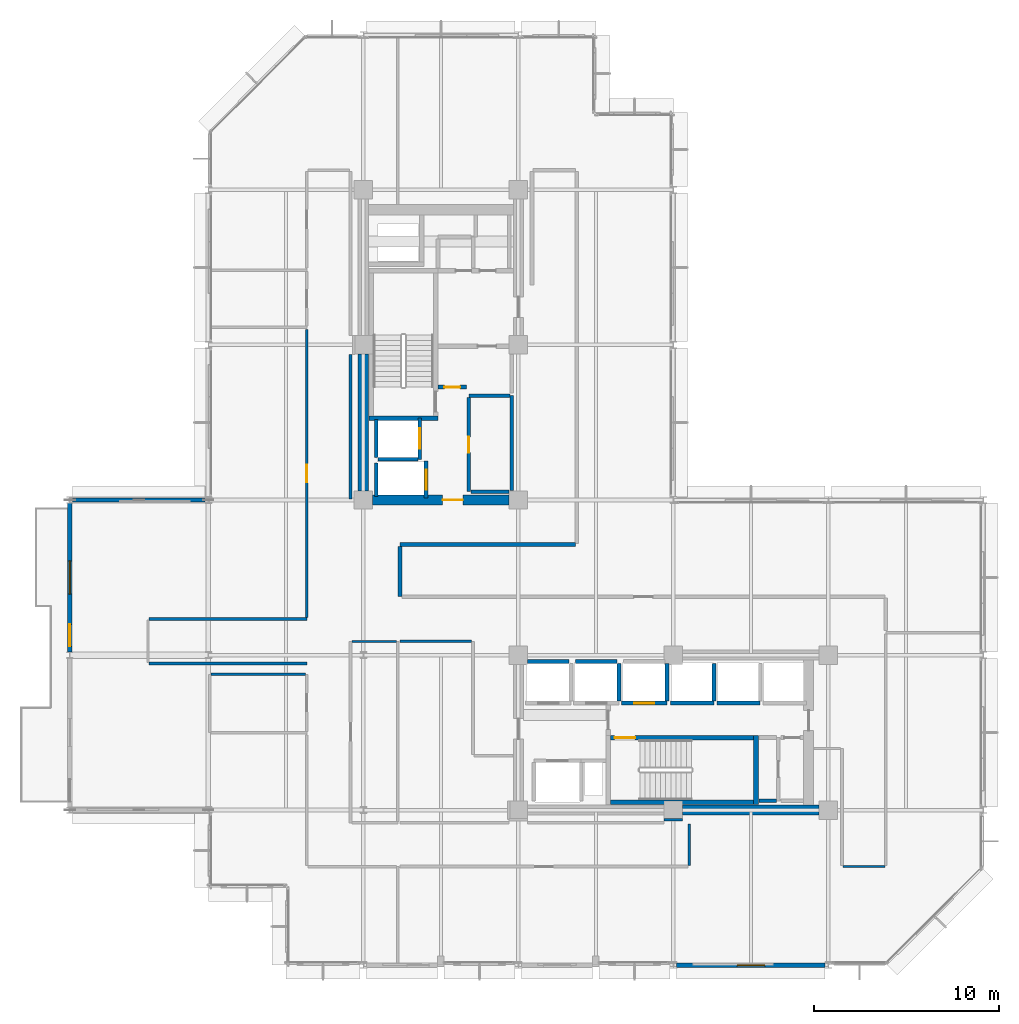
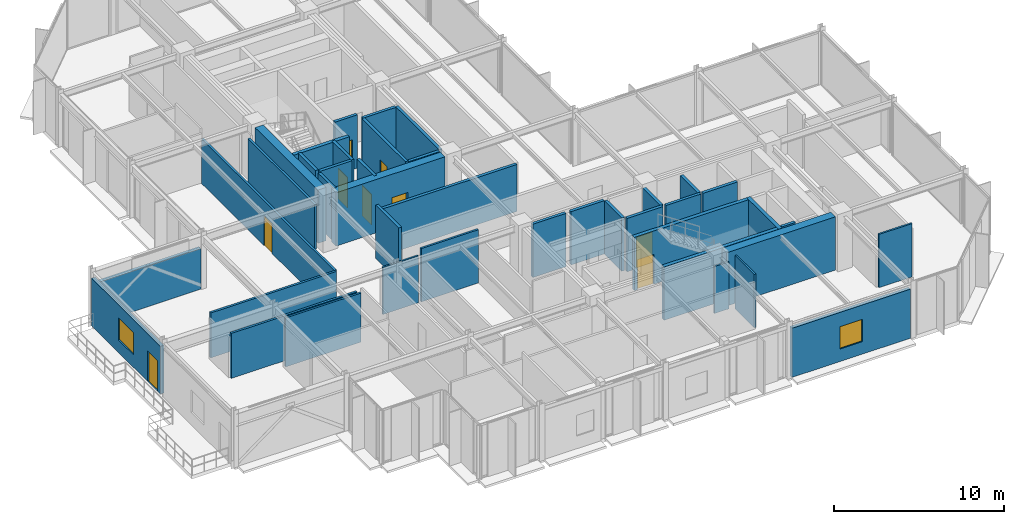
# One storey, part 25 of 30: 41 walls, 9 doors, 2 windows, 11 openings.
"""IFC4 building model written with IfcOpenShell, lengths in metres."""

from ifc_helpers import new_model, si_unit, direction, frame, frame_2d, origin, place, context, subcontext, project, spatial, rectangle, extrude, material, layer, layer_set, type_object, element, fill, save


model = new_model("IFC4")

# Units and contexts
model_context = context("Model", 3, precision=1e-05, world=origin(), true_north=direction((0.0, 1.0)))
body_context = subcontext(model_context, "Body", "Model", "MODEL_VIEW")
ifc_project = project(units=[si_unit("LENGTHUNIT", "METRE"), si_unit("AREAUNIT", "SQUARE_METRE"), si_unit("VOLUMEUNIT", "CUBIC_METRE"), si_unit("PLANEANGLEUNIT", "RADIAN"), si_unit("MASSUNIT", "GRAM", prefix="KILO")], contexts=[model_context])

# Site, building, storey
site_placement = place(None, origin())
site = spatial("IfcSite", under=ifc_project, at=site_placement, CompositionType="ELEMENT")
building_placement = place(site_placement, origin())
building = spatial("IfcBuilding", under=site, at=building_placement, Name="Nerrivon Quay Data Exchange", CompositionType="ELEMENT")
storey_placement = place(building_placement, frame((0.0, 0.0, 171.39990234375)))
storey = spatial("IfcBuildingStorey", under=building, at=storey_placement, Name="L40", CompositionType="ELEMENT", Elevation=171.39990234375)

# Wall, openings, door, window
ifc_material_1 = material(Name="Architectural terracotta precast concrete N50 (50 MPa)", Category="masonry")
ifc_layer_1 = layer(ifc_material_1, 0.239990234375)
ifc_layer_set_1 = layer_set([ifc_layer_1], Name="Architectural terracotta precast concrete N50 (50 MPa)")
wall_type_1 = type_object("IfcWallType", Name="EW-PREC-240", PredefinedType="STANDARD", material=ifc_layer_set_1)
wall_1_placement = place(storey_placement, frame((-7.5, 16.96337890625, 0.0), z_axis=(0.0, 0.0, 1.0), x_axis=(0.0, 1.0, 0.0)))
wall_1 = element("IfcWall", 1, at=wall_1_placement, inside=storey, type_object=wall_type_1, Name="L40 Terrace Host Wall 2", PredefinedType="STANDARD", context=body_context, shape_type="SweptSolid", body=[
    extrude(rectangle(XDim=8.0732421875, YDim=0.239990234375, at=frame_2d((4.03662109375, 0.0))), origin(), (0.0, 0.0, 1.0), 3.422119140625),
])
opening_1_placement = place(wall_1_placement, frame((0.300048828125, 0.0, 0.0)))
opening_1 = element("IfcOpeningElement", 2, at=opening_1_placement, cuts=wall_1, Name="Opening TD1", PredefinedType="OPENING", context=body_context, shape_type="SweptSolid", body=[
    extrude(rectangle(XDim=1.199951171875, YDim=2.199951171875, at=frame_2d((0.60009765625, 1.10009765625))), frame((0.0, 0.1298828125, 0.0), z_axis=(0.0, -1.0, 0.0), x_axis=(1.0, 0.0, 0.0)), (0.0, 0.0, 1.0), 0.260009765625),
])
opening_2_placement = place(wall_1_placement, frame((3.136474609375, 0.0, 0.89990234375)))
opening_2 = element("IfcOpeningElement", 3, at=opening_2_placement, cuts=wall_1, Name="Opening WN2", PredefinedType="OPENING", context=body_context, shape_type="SweptSolid", body=[
    extrude(rectangle(XDim=1.800048828125, YDim=1.60009765625, at=frame_2d((0.89990234375, 0.800048828125))), frame((0.0, 0.1298828125, 0.0), z_axis=(0.0, -1.0, 0.0), x_axis=(1.0, 0.0, 0.0)), (0.0, 0.0, 1.0), 0.260009765625),
])
ifc_material_2 = material(Name="Double-glazed low-E solar control glass", Category="glass")
door_type_1 = type_object("IfcDoorType", Name="DR-TERR-1200x2200", OperationType="NOTDEFINED", PredefinedType="DOOR", material=ifc_material_2)
door_1_placement = place(opening_1_placement, origin())
door_1 = element("IfcDoor", 4, at=door_1_placement, inside=storey, type_object=door_type_1, Name="L40 Outdoor Terrace Access Door 2", OperationType="SINGLE_SWING_LEFT", OverallHeight=2.199951171875, OverallWidth=1.199951171875, PredefinedType="DOOR", context=body_context, shape_type="SweptSolid", body=[
    extrude(rectangle(XDim=1.199951171875, YDim=2.199951171875, at=frame_2d((0.60009765625, 1.10009765625))), frame((0.0, 0.02490234375, 0.0), z_axis=(0.0, -1.0, 0.0), x_axis=(1.0, 0.0, 0.0)), (0.0, 0.0, 1.0), 0.050048828125),
])
fill(opening_1, door_1)
window_type_1 = type_object("IfcWindowType", Name="WIN-W2-1800x1600", PartitioningType="SINGLE_PANEL", PredefinedType="WINDOW", material=ifc_material_2)
window_1_placement = place(opening_2_placement, origin())
window_1 = element("IfcWindow", 5, at=window_1_placement, inside=storey, type_object=window_type_1, Name="L40 Terrace Side Window 2", OverallHeight=1.60009765625, OverallWidth=1.800048828125, PartitioningType="SINGLE_PANEL", PredefinedType="WINDOW", context=body_context, shape_type="SweptSolid", body=[
    extrude(rectangle(XDim=1.800048828125, YDim=1.60009765625, at=frame_2d((0.89990234375, 0.800048828125))), frame((0.0, 0.030029296875, 0.0), z_axis=(0.0, -1.0, 0.0), x_axis=(1.0, 0.0, 0.0)), (0.0, 0.0, 1.0), 0.06005859375),
])
fill(opening_2, window_1)

# Wall
wall_2_placement = place(storey_placement, frame((-7.344482421875, 25.199951171875, 0.0), z_axis=(0.0, 0.0, 1.0), x_axis=(1.0, 0.0, 0.0)))
element("IfcWall", 6, at=wall_2_placement, inside=storey, type_object=wall_type_1, Name="L40 Plant Enclosure Wall 3", PredefinedType="STANDARD", context=body_context, shape_type="SweptSolid", body=[
    extrude(rectangle(XDim=7.16943359375, YDim=0.239990234375, at=frame_2d((3.584716796875, 0.0))), origin(), (0.0, 0.0, 1.0), 2.9150390625),
])

# Wall, opening, window
wall_3_placement = place(storey_placement, frame((33.425048828125, 0.0, 0.0), z_axis=(0.0, 0.0, 1.0), x_axis=(-1.0, 0.0, 0.0)))
wall_3 = element("IfcWall", 7, at=wall_3_placement, inside=storey, type_object=wall_type_1, Name="L40 Podium Precast Spandrel Wall 23", PredefinedType="STANDARD", context=body_context, shape_type="SweptSolid", body=[
    extrude(rectangle(XDim=8.050048828125, YDim=0.239990234375, at=frame_2d((4.02490234375, 0.0))), origin(), (0.0, 0.0, 1.0), 3.525146484375),
])
opening_3_placement = place(wall_3_placement, frame((3.27490234375, 0.0, 0.89990234375)))
opening_3 = element("IfcOpeningElement", 8, at=opening_3_placement, cuts=wall_3, Name="Opening WN4", PredefinedType="OPENING", context=body_context, shape_type="SweptSolid", body=[
    extrude(rectangle(XDim=1.5, YDim=1.60009765625, at=frame_2d((0.75, 0.800048828125))), frame((0.0, 0.1298828125, 0.0), z_axis=(0.0, -1.0, 0.0), x_axis=(1.0, 0.0, 0.0)), (0.0, 0.0, 1.0), 0.260009765625),
])
window_type_2 = type_object("IfcWindowType", Name="WIN-W4-1500x1600", PartitioningType="SINGLE_PANEL", PredefinedType="WINDOW", material=ifc_material_2)
window_2_placement = place(opening_3_placement, origin())
window_2 = element("IfcWindow", 9, at=window_2_placement, inside=storey, type_object=window_type_2, Name="L40 Solar Facade Window 23", OverallHeight=1.60009765625, OverallWidth=1.5, PartitioningType="SINGLE_PANEL", PredefinedType="WINDOW", context=body_context, shape_type="SweptSolid", body=[
    extrude(rectangle(XDim=1.5, YDim=1.60009765625, at=frame_2d((0.75, 0.800048828125))), frame((0.0, 0.030029296875, 0.0), z_axis=(0.0, -1.0, 0.0), x_axis=(1.0, 0.0, 0.0)), (0.0, 0.0, 1.0), 0.06005859375),
])
fill(opening_3, window_2)

# Wall
ifc_material_3 = material(Name="Concrete S65 (65 MPa)", Category="concrete")
ifc_layer_2 = layer(ifc_material_3, 0.550048828125)
ifc_layer_set_2 = layer_set([ifc_layer_2], Name="Concrete S65 (65 MPa)")
wall_type_2 = type_object("IfcWallType", Name="WALL-CW-700", PredefinedType="SHEAR", material=ifc_layer_set_2)
wall_4_placement = place(storey_placement, frame((8.39990234375, 25.699951171875, 0.0), z_axis=(0.0, 0.0, 1.0), x_axis=(0.0, 1.0, 0.0)))
element("IfcWall", 10, at=wall_4_placement, inside=storey, type_object=wall_type_2, Name="L40 West Split-Core Shear Wall WCW-W1", PredefinedType="SHEAR", context=body_context, shape_type="SweptSolid", body=[
    extrude(rectangle(XDim=7.400146484375, YDim=0.550048828125, at=frame_2d((3.7001953125, 0.0))), origin(), (0.0, 0.0, 1.0), 3.8251953125),
])

# Wall, opening, door
wall_5_placement = place(storey_placement, frame((8.89990234375, 25.199951171875, 0.0), z_axis=(0.0, 0.0, 1.0), x_axis=(1.0, 0.0, 0.0)))
wall_5 = element("IfcWall", 11, at=wall_5_placement, inside=storey, type_object=wall_type_2, Name="L40 West Split-Core Shear Wall WCW-S1", PredefinedType="SHEAR", context=body_context, shape_type="SweptSolid", body=[
    extrude(rectangle(XDim=7.400146484375, YDim=0.550048828125, at=frame_2d((3.7001953125, 0.0))), origin(), (0.0, 0.0, 1.0), 3.8251953125),
])
opening_4_placement = place(wall_5_placement, frame((3.800048828125, 0.0, 0.0)))
opening_4 = element("IfcOpeningElement", 12, at=opening_4_placement, cuts=wall_5, Name="Opening FD-120", PredefinedType="OPENING", context=body_context, shape_type="SweptSolid", body=[
    extrude(rectangle(XDim=1.10009765625, YDim=2.14990234375, at=frame_2d((0.550048828125, 1.074951171875))), frame((0.0, 0.284912109375, 0.0), z_axis=(0.0, -1.0, 0.0), x_axis=(1.0, 0.0, 0.0)), (0.0, 0.0, 1.0), 0.570068359375),
])
ifc_material_4 = material(Name="Powder-coated galvanized steel sheet", Category="steel")
door_type_2 = type_object("IfcDoorType", Name="DR-FD120-1100", OperationType="NOTDEFINED", PredefinedType="DOOR", material=ifc_material_4)
door_2_placement = place(opening_4_placement, origin())
door_2 = element("IfcDoor", 13, at=door_2_placement, inside=storey, type_object=door_type_2, Name="L40 West Core Lobby Fire Door", OperationType="SINGLE_SWING_LEFT", OverallHeight=2.14990234375, OverallWidth=1.10009765625, PredefinedType="DOOR", context=body_context, shape_type="SweptSolid", body=[
    extrude(rectangle(XDim=1.10009765625, YDim=2.14990234375, at=frame_2d((0.550048828125, 1.074951171875))), frame((0.0, 0.02490234375, 0.0), z_axis=(0.0, -1.0, 0.0), x_axis=(1.0, 0.0, 0.0)), (0.0, 0.0, 1.0), 0.050048828125),
])
fill(opening_4, door_2)

# Wall
wall_6_placement = place(storey_placement, frame((25.699951171875, 8.39990234375, 0.0), z_axis=(0.0, 0.0, 1.0), x_axis=(1.0, 0.0, 0.0)))
element("IfcWall", 14, at=wall_6_placement, inside=storey, type_object=wall_type_2, Name="L40 East Split-Core Shear Wall ECW-S2", PredefinedType="SHEAR", context=body_context, shape_type="SweptSolid", body=[
    extrude(rectangle(XDim=7.400146484375, YDim=0.550048828125, at=frame_2d((3.7001953125, 0.0))), origin(), (0.0, 0.0, 1.0), 3.8251953125),
])

# Wall, opening, door
ifc_material_5 = material(Name="Gypsum plasterboard on cold-formed framing", Category="gypsum")
ifc_layer_3 = layer(ifc_material_5, 0.199951171875)
ifc_layer_set_3 = layer_set([ifc_layer_3], Name="Gypsum plasterboard on cold-formed framing")
wall_type_3 = type_object("IfcWallType", Name="WALL-FW-200", PredefinedType="PARTITIONING", material=ifc_layer_set_3)
wall_7_placement = place(storey_placement, frame((11.449951171875, 27.39990234375, 0.0), z_axis=(0.0, 0.0, 1.0), x_axis=(0.0, 1.0, 0.0)))
wall_7 = element("IfcWall", 15, at=wall_7_placement, inside=storey, type_object=wall_type_3, Name="L40 Lift Front Wall FFL-1", PredefinedType="PARTITIONING", context=body_context, shape_type="SweptSolid", body=[
    extrude(rectangle(XDim=2.25, YDim=0.199951171875, at=frame_2d((1.125, 0.0))), origin(), (0.0, 0.0, 1.0), 3.8251953125),
])
opening_5_placement = place(wall_7_placement, frame((0.574951171875, 0.0, 0.0)))
opening_5 = element("IfcOpeningElement", 16, at=opening_5_placement, cuts=wall_7, Name="Opening LD-120", PredefinedType="OPENING", context=body_context, shape_type="SweptSolid", body=[
    extrude(rectangle(XDim=1.10009765625, YDim=2.199951171875, at=frame_2d((0.550048828125, 1.10009765625))), frame((0.0, 0.10986328125, 0.0), z_axis=(0.0, -1.0, 0.0), x_axis=(1.0, 0.0, 0.0)), (0.0, 0.0, 1.0), 0.219970703125),
])
door_type_3 = type_object("IfcDoorType", Name="DR-LIFT-LD120", OperationType="DOUBLE_DOOR_SLIDING", PredefinedType="DOOR", material=ifc_material_4)
door_3_placement = place(opening_5_placement, origin())
door_3 = element("IfcDoor", 17, at=door_3_placement, inside=storey, type_object=door_type_3, Name="L40 Lift Landing Sliding Door FFL-1", OperationType="DOUBLE_DOOR_SLIDING", OverallHeight=2.199951171875, OverallWidth=1.10009765625, PredefinedType="DOOR", context=body_context, shape_type="SweptSolid", body=[
    extrude(rectangle(XDim=1.10009765625, YDim=2.199951171875, at=frame_2d((0.550048828125, 1.10009765625))), frame((0.0, 0.02490234375, 0.0), z_axis=(0.0, -1.0, 0.0), x_axis=(1.0, 0.0, 0.0)), (0.0, 0.0, 1.0), 0.050048828125),
])
fill(opening_5, door_3)

# Walls
wall_8_placement = place(storey_placement, frame((9.10009765625, 27.5, 0.0), z_axis=(0.0, 0.0, 1.0), x_axis=(0.0, 1.0, 0.0)))
element("IfcWall", 18, at=wall_8_placement, inside=storey, type_object=wall_type_3, Name="L40 Lift Shaft Wall FFL-1 WEST", PredefinedType="PARTITIONING", context=body_context, shape_type="SweptSolid", body=[
    extrude(rectangle(XDim=2.050048828125, YDim=0.199951171875, at=frame_2d((1.02490234375, 0.0))), origin(), (0.0, 0.0, 1.0), 3.8251953125),
])
wall_9_placement = place(storey_placement, frame((9.199951171875, 27.39990234375, 0.0), z_axis=(0.0, 0.0, 1.0), x_axis=(1.0, 0.0, 0.0)))
element("IfcWall", 19, at=wall_9_placement, inside=storey, type_object=wall_type_3, Name="L40 Lift Shaft Wall FFL-1 SOUTH", PredefinedType="PARTITIONING", context=body_context, shape_type="SweptSolid", body=[
    extrude(rectangle(XDim=2.150146484375, YDim=0.199951171875, at=frame_2d((1.0751953125, 0.0))), origin(), (0.0, 0.0, 1.0), 3.8251953125),
])

# Wall, opening, door
wall_10_placement = place(storey_placement, frame((11.800048828125, 25.300048828125, 0.0), z_axis=(0.0, 0.0, 1.0), x_axis=(0.0, 1.0, 0.0)))
wall_10 = element("IfcWall", 20, at=wall_10_placement, inside=storey, type_object=wall_type_3, Name="L40 Lift Front Wall SVL-1", PredefinedType="PARTITIONING", context=body_context, shape_type="SweptSolid", body=[
    extrude(rectangle(XDim=2.0, YDim=0.199951171875, at=frame_2d((1.0, 0.0))), origin(), (0.0, 0.0, 1.0), 3.8251953125),
])
opening_6_placement = place(wall_10_placement, frame((0.449951171875, 0.0, 0.0)))
opening_6 = element("IfcOpeningElement", 21, at=opening_6_placement, cuts=wall_10, Name="Opening LD-120", PredefinedType="OPENING", context=body_context, shape_type="SweptSolid", body=[
    extrude(rectangle(XDim=1.10009765625, YDim=2.199951171875, at=frame_2d((0.550048828125, 1.10009765625))), frame((0.0, 0.10986328125, 0.0), z_axis=(0.0, -1.0, 0.0), x_axis=(1.0, 0.0, 0.0)), (0.0, 0.0, 1.0), 0.219970703125),
])
door_4_placement = place(opening_6_placement, origin())
door_4 = element("IfcDoor", 22, at=door_4_placement, inside=storey, type_object=door_type_3, Name="L40 Lift Landing Sliding Door SVL-1", OperationType="DOUBLE_DOOR_SLIDING", OverallHeight=2.199951171875, OverallWidth=1.10009765625, PredefinedType="DOOR", context=body_context, shape_type="SweptSolid", body=[
    extrude(rectangle(XDim=1.10009765625, YDim=2.199951171875, at=frame_2d((0.550048828125, 1.10009765625))), frame((0.0, 0.02490234375, 0.0), z_axis=(0.0, -1.0, 0.0), x_axis=(1.0, 0.0, 0.0)), (0.0, 0.0, 1.0), 0.050048828125),
])
fill(opening_6, door_4)

# Walls
wall_11_placement = place(storey_placement, frame((9.10009765625, 25.39990234375, 0.0), z_axis=(0.0, 0.0, 1.0), x_axis=(0.0, 1.0, 0.0)))
element("IfcWall", 23, at=wall_11_placement, inside=storey, type_object=wall_type_3, Name="L40 Lift Shaft Wall SVL-1 WEST", PredefinedType="PARTITIONING", context=body_context, shape_type="SweptSolid", body=[
    extrude(rectangle(XDim=1.800048828125, YDim=0.199951171875, at=frame_2d((0.89990234375, 0.0))), origin(), (0.0, 0.0, 1.0), 3.8251953125),
])
wall_12_placement = place(storey_placement, frame((17.300048828125, 16.449951171875, 0.0), z_axis=(0.0, 0.0, 1.0), x_axis=(1.0, 0.0, 0.0)))
element("IfcWall", 24, at=wall_12_placement, inside=storey, type_object=wall_type_3, Name="L40 Lift Shaft Wall PL4 NORTH", PredefinedType="PARTITIONING", context=body_context, shape_type="SweptSolid", body=[
    extrude(rectangle(XDim=2.25, YDim=0.199951171875, at=frame_2d((1.125, 0.0))), origin(), (0.0, 0.0, 1.0), 3.8251953125),
])
wall_13_placement = place(storey_placement, frame((22.25, 14.300048828125, 0.0), z_axis=(0.0, 0.0, 1.0), x_axis=(0.0, 1.0, 0.0)))
element("IfcWall", 25, at=wall_13_placement, inside=storey, type_object=wall_type_3, Name="L40 Lift Shaft Wall PL5 EAST", PredefinedType="PARTITIONING", context=body_context, shape_type="SweptSolid", body=[
    extrude(rectangle(XDim=2.050048828125, YDim=0.199951171875, at=frame_2d((1.02490234375, 0.0))), origin(), (0.0, 0.0, 1.0), 3.8251953125),
])
wall_14_placement = place(storey_placement, frame((19.89990234375, 16.449951171875, 0.0), z_axis=(0.0, 0.0, 1.0), x_axis=(1.0, 0.0, 0.0)))
element("IfcWall", 26, at=wall_14_placement, inside=storey, type_object=wall_type_3, Name="L40 Lift Shaft Wall PL5 NORTH", PredefinedType="PARTITIONING", context=body_context, shape_type="SweptSolid", body=[
    extrude(rectangle(XDim=2.25, YDim=0.199951171875, at=frame_2d((1.125, 0.0))), origin(), (0.0, 0.0, 1.0), 3.8251953125),
])

# Wall, opening, door
wall_15_placement = place(storey_placement, frame((22.39990234375, 14.199951171875, 0.0), z_axis=(0.0, 0.0, 1.0), x_axis=(1.0, 0.0, 0.0)))
wall_15 = element("IfcWall", 27, at=wall_15_placement, inside=storey, type_object=wall_type_3, Name="L40 Lift Front Wall PL6", PredefinedType="PARTITIONING", context=body_context, shape_type="SweptSolid", body=[
    extrude(rectangle(XDim=2.4501953125, YDim=0.199951171875, at=frame_2d((1.22509765625, 0.0))), origin(), (0.0, 0.0, 1.0), 3.8251953125),
])
opening_7_placement = place(wall_15_placement, frame((0.675048828125, 0.0, 0.0)))
opening_7 = element("IfcOpeningElement", 28, at=opening_7_placement, cuts=wall_15, Name="Opening LD-120", PredefinedType="OPENING", context=body_context, shape_type="SweptSolid", body=[
    extrude(rectangle(XDim=1.10009765625, YDim=2.199951171875, at=frame_2d((0.550048828125, 1.10009765625))), frame((0.0, 0.10986328125, 0.0), z_axis=(0.0, -1.0, 0.0), x_axis=(1.0, 0.0, 0.0)), (0.0, 0.0, 1.0), 0.219970703125),
])
door_5_placement = place(opening_7_placement, origin())
door_5 = element("IfcDoor", 29, at=door_5_placement, inside=storey, type_object=door_type_3, Name="L40 Lift Landing Sliding Door PL6", OperationType="DOUBLE_DOOR_SLIDING", OverallHeight=2.199951171875, OverallWidth=1.10009765625, PredefinedType="DOOR", context=body_context, shape_type="SweptSolid", body=[
    extrude(rectangle(XDim=1.10009765625, YDim=2.199951171875, at=frame_2d((0.550048828125, 1.10009765625))), frame((0.0, 0.02490234375, 0.0), z_axis=(0.0, -1.0, 0.0), x_axis=(1.0, 0.0, 0.0)), (0.0, 0.0, 1.0), 0.050048828125),
])
fill(opening_7, door_5)

# Walls
wall_16_placement = place(storey_placement, frame((24.85009765625, 14.300048828125, 0.0), z_axis=(0.0, 0.0, 1.0), x_axis=(0.0, 1.0, 0.0)))
element("IfcWall", 30, at=wall_16_placement, inside=storey, type_object=wall_type_3, Name="L40 Lift Shaft Wall PL6 EAST", PredefinedType="PARTITIONING", context=body_context, shape_type="SweptSolid", body=[
    extrude(rectangle(XDim=2.050048828125, YDim=0.199951171875, at=frame_2d((1.02490234375, 0.0))), origin(), (0.0, 0.0, 1.0), 3.8251953125),
])
wall_17_placement = place(storey_placement, frame((25.050048828125, 14.199951171875, 0.0), z_axis=(0.0, 0.0, 1.0), x_axis=(1.0, 0.0, 0.0)))
element("IfcWall", 31, at=wall_17_placement, inside=storey, type_object=wall_type_3, Name="L40 Lift Front Wall PL7", PredefinedType="PARTITIONING", context=body_context, shape_type="SweptSolid", body=[
    extrude(rectangle(XDim=2.349853515625, YDim=0.199951171875, at=frame_2d((1.1748046875, 0.0))), origin(), (0.0, 0.0, 1.0), 3.8251953125),
])
wall_18_placement = place(storey_placement, frame((27.39990234375, 14.300048828125, 0.0), z_axis=(0.0, 0.0, 1.0), x_axis=(0.0, 1.0, 0.0)))
element("IfcWall", 32, at=wall_18_placement, inside=storey, type_object=wall_type_3, Name="L40 Lift Shaft Wall PL7 EAST", PredefinedType="PARTITIONING", context=body_context, shape_type="SweptSolid", body=[
    extrude(rectangle(XDim=2.050048828125, YDim=0.199951171875, at=frame_2d((1.02490234375, 0.0))), origin(), (0.0, 0.0, 1.0), 3.8251953125),
])
wall_19_placement = place(storey_placement, frame((27.550048828125, 14.199951171875, 0.0), z_axis=(0.0, 0.0, 1.0), x_axis=(1.0, 0.0, 0.0)))
element("IfcWall", 33, at=wall_19_placement, inside=storey, type_object=wall_type_3, Name="L40 Lift Front Wall PL8", PredefinedType="PARTITIONING", context=body_context, shape_type="SweptSolid", body=[
    extrude(rectangle(XDim=2.349853515625, YDim=0.199951171875, at=frame_2d((1.1748046875, 0.0))), origin(), (0.0, 0.0, 1.0), 3.8251953125),
])
wall_20_placement = place(storey_placement, frame((16.449951171875, 25.705078125, 0.0), z_axis=(0.0, 0.0, 1.0), x_axis=(0.0, 1.0, 0.0)))
element("IfcWall", 34, at=wall_20_placement, inside=storey, type_object=wall_type_3, Name="L40 Partition Fibre Patch Store", PredefinedType="PARTITIONING", context=body_context, shape_type="SweptSolid", body=[
    extrude(rectangle(XDim=5.14501953125, YDim=0.199951171875, at=frame_2d((2.572509765625, 0.0))), origin(), (0.0, 0.0, 1.0), 3.8251953125),
])
wall_21_placement = place(storey_placement, frame((16.345947265625, 30.85009765625, 0.0), z_axis=(0.0, 0.0, 1.0), x_axis=(-1.0, 0.0, 0.0)))
element("IfcWall", 35, at=wall_21_placement, inside=storey, type_object=wall_type_3, Name="L40 Partition Fibre Patch Store", PredefinedType="PARTITIONING", context=body_context, shape_type="SweptSolid", body=[
    extrude(rectangle(XDim=2.225830078125, YDim=0.199951171875, at=frame_2d((1.11279296875, 0.0))), origin(), (0.0, 0.0, 1.0), 3.8251953125),
])

# Wall, opening, door
wall_22_placement = place(storey_placement, frame((14.1201171875, 30.74609375, 0.0), z_axis=(0.0, 0.0, 1.0), x_axis=(0.0, -1.0, 0.0)))
wall_22 = element("IfcWall", 36, at=wall_22_placement, inside=storey, type_object=wall_type_3, Name="L40 Partition Fibre Patch Store", PredefinedType="PARTITIONING", context=body_context, shape_type="SweptSolid", body=[
    extrude(rectangle(XDim=5.09619140625, YDim=0.199951171875, at=frame_2d((2.548095703125, 0.0))), origin(), (0.0, 0.0, 1.0), 3.8251953125),
])
opening_8_placement = place(wall_22_placement, frame((2.123046875, 0.0, 0.0)))
opening_8 = element("IfcOpeningElement", 37, at=opening_8_placement, cuts=wall_22, Name="Opening FD-60S", PredefinedType="OPENING", context=body_context, shape_type="SweptSolid", body=[
    extrude(rectangle(XDim=0.85009765625, YDim=2.14990234375, at=frame_2d((0.425048828125, 1.074951171875))), frame((0.0, 0.10986328125, 0.0), z_axis=(0.0, -1.0, 0.0), x_axis=(1.0, 0.0, 0.0)), (0.0, 0.0, 1.0), 0.219970703125),
])
ifc_material_6 = material(Name="Engineered hardwood timber", Category="wood")
door_type_4 = type_object("IfcDoorType", Name="DR-FD60-850", OperationType="NOTDEFINED", PredefinedType="DOOR", material=ifc_material_6)
door_6_placement = place(opening_8_placement, origin())
door_6 = element("IfcDoor", 38, at=door_6_placement, inside=storey, type_object=door_type_4, Name="L40 Door Fibre Patch Store", OperationType="SINGLE_SWING_RIGHT", OverallHeight=2.14990234375, OverallWidth=0.85009765625, PredefinedType="DOOR", context=body_context, shape_type="SweptSolid", body=[
    extrude(rectangle(XDim=0.85009765625, YDim=2.14990234375, at=frame_2d((0.425048828125, 1.074951171875))), frame((0.0, 0.02490234375, 0.0), z_axis=(0.0, -1.0, 0.0), x_axis=(1.0, 0.0, 0.0)), (0.0, 0.0, 1.0), 0.050048828125),
])
fill(opening_8, door_6)

# Wall
wall_23_placement = place(storey_placement, frame((14.22412109375, 25.64990234375, 0.0), z_axis=(0.0, 0.0, 1.0), x_axis=(1.0, 0.0, 0.0)))
element("IfcWall", 39, at=wall_23_placement, inside=storey, type_object=wall_type_3, Name="L40 Partition Fibre Patch Store", PredefinedType="PARTITIONING", context=body_context, shape_type="SweptSolid", body=[
    extrude(rectangle(XDim=2.07080078125, YDim=0.199951171875, at=frame_2d((1.035400390625, 0.0))), origin(), (0.0, 0.0, 1.0), 3.8251953125),
])

# Wall, opening, door
wall_24_placement = place(storey_placement, frame((12.4541015625, 31.320068359375, 0.0), z_axis=(0.0, 0.0, 1.0), x_axis=(0.999999949061, -0.000319182876, 0.0)))
wall_24 = element("IfcWall", 40, at=wall_24_placement, inside=storey, type_object=wall_type_3, Name="L40 Partition Core Equipment Closet", PredefinedType="PARTITIONING", context=body_context, shape_type="SweptSolid", body=[
    extrude(rectangle(XDim=1.52978515625, YDim=0.199951171875, at=frame_2d((0.764892578125, 0.0))), origin(), (0.0, 0.0, 1.0), 3.8251953125),
])
opening_9_placement = place(wall_24_placement, frame((0.340087890625, 0.0, 0.0)))
opening_9 = element("IfcOpeningElement", 41, at=opening_9_placement, cuts=wall_24, Name="Opening FD-60S", PredefinedType="OPENING", context=body_context, shape_type="SweptSolid", body=[
    extrude(rectangle(XDim=0.85009765625, YDim=2.14990234375, at=frame_2d((0.425048828125, 1.074951171875))), frame((0.0, 0.10986328125, 0.0), z_axis=(0.0, -1.0, 0.0), x_axis=(1.0, 0.0, 0.0)), (0.0, 0.0, 1.0), 0.219970703125),
])
door_7_placement = place(opening_9_placement, origin())
door_7 = element("IfcDoor", 42, at=door_7_placement, inside=storey, type_object=door_type_4, Name="L40 Door Core Equipment Closet", OperationType="SINGLE_SWING_LEFT", OverallHeight=2.14990234375, OverallWidth=0.85009765625, PredefinedType="DOOR", context=body_context, shape_type="SweptSolid", body=[
    extrude(rectangle(XDim=0.85009765625, YDim=2.14990234375, at=frame_2d((0.425048828125, 1.074951171875))), frame((0.0, 0.02490234375, 0.0), z_axis=(0.0, -1.0, 0.0), x_axis=(1.0, 0.0, 0.0)), (0.0, 0.0, 1.0), 0.050048828125),
])
fill(opening_9, door_7)

# Walls
wall_25_placement = place(storey_placement, frame((29.85009765625, 8.89990234375, 0.0), z_axis=(0.0, 0.0, 1.0), x_axis=(1.0, 0.0, 0.0)))
element("IfcWall", 43, at=wall_25_placement, inside=storey, type_object=wall_type_3, Name="L40 Partition East Electrical Closet", PredefinedType="PARTITIONING", context=body_context, shape_type="SweptSolid", body=[
    extrude(rectangle(XDim=0.92578125, YDim=0.199951171875, at=frame_2d((0.462890625, 0.0))), origin(), (0.0, 0.0, 1.0), 3.8251953125),
])
wall_26_placement = place(storey_placement, frame((19.89990234375, 22.7900390625, 0.0), z_axis=(0.0, 0.0, 1.0), x_axis=(-1.0, 0.0, 0.0)))
element("IfcWall", 44, at=wall_26_placement, inside=storey, type_object=wall_type_3, Name="L40 Partition Colocation Data Workspace 1", PredefinedType="PARTITIONING", context=body_context, shape_type="SweptSolid", body=[
    extrude(rectangle(XDim=9.510009765625, YDim=0.199951171875, at=frame_2d((4.7548828125, 0.0))), origin(), (0.0, 0.0, 1.0), 3.37109375),
])
wall_27_placement = place(storey_placement, frame((10.389892578125, 22.68603515625, 0.0), z_axis=(0.0, 0.0, 1.0), x_axis=(0.0, -1.0, 0.0)))
element("IfcWall", 45, at=wall_27_placement, inside=storey, type_object=wall_type_3, Name="L40 Partition Colocation Data Workspace 1", PredefinedType="PARTITIONING", context=body_context, shape_type="SweptSolid", body=[
    extrude(rectangle(XDim=2.72607421875, YDim=0.199951171875, at=frame_2d((1.363037109375, 0.0))), origin(), (0.0, 0.0, 1.0), 3.8251953125),
])
ifc_layer_4 = layer(ifc_material_5, 0.1201171875)
ifc_layer_set_4 = layer_set([ifc_layer_4], Name="Gypsum plasterboard on cold-formed framing")
wall_type_4 = type_object("IfcWallType", Name="WALL-PT-120", PredefinedType="PARTITIONING", material=ifc_layer_set_4)
wall_28_placement = place(storey_placement, frame((10.19091796875, 17.5400390625, 0.0), z_axis=(0.0, 0.0, 1.0), x_axis=(-1.0, 0.0, 0.0)))
element("IfcWall", 46, at=wall_28_placement, inside=storey, type_object=wall_type_4, Name="L40 Partition Staff Pantry", PredefinedType="PARTITIONING", context=body_context, shape_type="SweptSolid", body=[
    extrude(rectangle(XDim=2.40185546875, YDim=0.1201171875, at=frame_2d((1.200927734375, 0.0))), origin(), (0.0, 0.0, 1.0), 3.37109375),
])
wall_29_placement = place(storey_placement, frame((36.656005859375, 5.34033203125, 0.0), z_axis=(0.0, 0.0, 1.0), x_axis=(-0.999999994145, -0.000108213396, 0.0)))
element("IfcWall", 47, at=wall_29_placement, inside=storey, type_object=wall_type_4, Name="L40 Partition Technical Library", PredefinedType="PARTITIONING", context=body_context, shape_type="SweptSolid", body=[
    extrude(rectangle(XDim=2.256103515625, YDim=0.1201171875, at=frame_2d((1.1279296875, 0.0))), origin(), (0.0, 0.0, 1.0), 3.8251953125),
])
wall_30_placement = place(storey_placement, frame((25.703857421875, 7.88037109375, 0.0), z_axis=(0.0, 0.0, 1.0), x_axis=(-0.999999881717, -0.000486381265, 0.0)))
element("IfcWall", 48, at=wall_30_placement, inside=storey, type_object=wall_type_4, Name="L40 Partition Technical Library", PredefinedType="PARTITIONING", context=body_context, shape_type="SweptSolid", body=[
    extrude(rectangle(XDim=1.00390625, YDim=0.1201171875, at=frame_2d((0.501953125, 0.0))), origin(), (0.0, 0.0, 1.0), 3.37109375),
])
wall_31_placement = place(storey_placement, frame((26.06005859375, 7.64990234375, 0.0), z_axis=(0.0, 0.0, 1.0), x_axis=(0.0, -1.0, 0.0)))
element("IfcWall", 49, at=wall_31_placement, inside=storey, type_object=wall_type_4, Name="L40 Partition Technical Library", PredefinedType="PARTITIONING", context=body_context, shape_type="SweptSolid", body=[
    extrude(rectangle(XDim=2.25, YDim=0.1201171875, at=frame_2d((1.125, 0.0))), origin(), (0.0, 0.0, 1.0), 3.8251953125),
])
ifc_layer_5 = layer(ifc_material_5, 0.135009765625)
ifc_layer_set_5 = layer_set([ifc_layer_5], Name="Gypsum plasterboard on cold-formed framing")
wall_type_5 = type_object("IfcWallType", Name="WALL-PT-135", PredefinedType="PARTITIONING", material=ifc_layer_set_5)
wall_32_placement = place(storey_placement, frame((5.27587890625, 15.75, 0.0), z_axis=(0.0, 0.0, 1.0), x_axis=(-1.0, 0.0, 0.0)))
element("IfcWall", 50, at=wall_32_placement, inside=storey, type_object=wall_type_5, Name="L40 Partition Accessible Toilet", PredefinedType="PARTITIONING", context=body_context, shape_type="SweptSolid", body=[
    extrude(rectangle(XDim=5.1318359375, YDim=0.135009765625, at=frame_2d((2.56591796875, 0.0))), origin(), (0.0, 0.0, 1.0), 3.51806640625),
])
wall_33_placement = place(storey_placement, frame((14.260986328125, 17.5400390625, 0.0), z_axis=(0.0, 0.0, 1.0), x_axis=(-1.0, 0.0, 0.0)))
element("IfcWall", 51, at=wall_33_placement, inside=storey, type_object=wall_type_5, Name="L40 Partition Technical Library", PredefinedType="PARTITIONING", context=body_context, shape_type="SweptSolid", body=[
    extrude(rectangle(XDim=3.87109375, YDim=0.135009765625, at=frame_2d((1.935546875, 0.0))), origin(), (0.0, 0.0, 1.0), 3.8251953125),
])
ifc_layer_6 = layer(ifc_material_5, 0.14990234375)
ifc_layer_set_6 = layer_set([ifc_layer_6], Name="Gypsum plasterboard on cold-formed framing")
wall_type_6 = type_object("IfcWallType", Name="WALL-PT-150", PredefinedType="PARTITIONING", material=ifc_layer_set_6)
wall_34_placement = place(storey_placement, frame((7.7099609375, 33.095947265625, 0.0), z_axis=(0.0, 0.0, 1.0), x_axis=(0.0, -1.0, 0.0)))
element("IfcWall", 52, at=wall_34_placement, inside=storey, type_object=wall_type_6, Name="L40 Partition Network Security Control", PredefinedType="PARTITIONING", context=body_context, shape_type="SweptSolid", body=[
    extrude(rectangle(XDim=7.8359375, YDim=0.14990234375, at=frame_2d((3.91796875, 0.0))), origin(), (0.0, 0.0, 1.0), 3.213134765625),
])
for number, where, z_axis, x_axis, name in (
    (53, (5.340087890625, 16.340087890625, 0.0), (0.0, 0.0, 1.0), (-1.0, 0.0, 0.0), "L40 Partition Mail and Crew Room"),
    (54, (-3.199951171875, 18.760009765625, 0.0), (0.0, 0.0, 1.0), (1.0, 0.0, 0.0), "L40 Partition Mail and Crew Room"),
):
    element("IfcWall", number, at=place(storey_placement, frame(where, z_axis=z_axis, x_axis=x_axis)), inside=storey, type_object=wall_type_6, Name=name, PredefinedType="PARTITIONING", context=body_context, shape_type="SweptSolid", body=[
        extrude(rectangle(XDim=8.5400390625, YDim=0.14990234375, at=frame_2d((4.27001953125, 0.0))), origin(), (0.0, 0.0, 1.0), 3.22314453125),
    ])

# Wall, opening, door
wall_35_placement = place(storey_placement, frame((5.340087890625, 18.839111328125, 0.0), z_axis=(0.0, 0.0, 1.0), x_axis=(0.0, 1.0, 0.0)))
wall_35 = element("IfcWall", 55, at=wall_35_placement, inside=storey, type_object=wall_type_6, Name="L40 Partition Mail and Crew Room", PredefinedType="PARTITIONING", context=body_context, shape_type="SweptSolid", body=[
    extrude(rectangle(XDim=15.5908203125, YDim=0.14990234375, at=frame_2d((7.79541015625, 0.0))), origin(), (0.0, 0.0, 1.0), 3.213134765625),
])
opening_10_placement = place(wall_35_placement, frame((7.320556640625, 0.0, 0.0)))
opening_10 = element("IfcOpeningElement", 56, at=opening_10_placement, cuts=wall_35, Name="Opening D-01", PredefinedType="OPENING", context=body_context, shape_type="SweptSolid", body=[
    extrude(rectangle(XDim=0.949951171875, YDim=2.14990234375, at=frame_2d((0.47509765625, 1.074951171875))), frame((0.0, 0.0849609375, 0.0), z_axis=(0.0, -1.0, 0.0), x_axis=(1.0, 0.0, 0.0)), (0.0, 0.0, 1.0), 0.169921875),
])
door_type_5 = type_object("IfcDoorType", Name="DR-INT-950", OperationType="NOTDEFINED", PredefinedType="DOOR", material=ifc_material_6)
door_8_placement = place(opening_10_placement, origin())
door_8 = element("IfcDoor", 57, at=door_8_placement, inside=storey, type_object=door_type_5, Name="L40 Door Mail and Crew Room", OperationType="SINGLE_SWING_RIGHT", OverallHeight=2.14990234375, OverallWidth=0.949951171875, PredefinedType="DOOR", context=body_context, shape_type="SweptSolid", body=[
    extrude(rectangle(XDim=0.949951171875, YDim=2.14990234375, at=frame_2d((0.47509765625, 1.074951171875))), frame((0.0, 0.02490234375, 0.0), z_axis=(0.0, -1.0, 0.0), x_axis=(1.0, 0.0, 0.0)), (0.0, 0.0, 1.0), 0.050048828125),
])
fill(opening_10, door_8)

# Walls
ifc_material_7 = material(Name="Concrete N50 (50 MPa)", Category="concrete")
ifc_layer_7 = layer(ifc_material_7, 0.25)
ifc_layer_set_7 = layer_set([ifc_layer_7], Name="Concrete N50 (50 MPa)")
wall_type_7 = type_object("IfcWallType", Name="WALL-SW-250", PredefinedType="SHEAR", material=ifc_layer_set_7)
for number, where, z_axis, x_axis, name in (
    (58, (12.449951171875, 29.625, 0.0), (0.0, 0.0, 1.0), (-1.0, 0.0, 0.0), "L40 ST01 Structural Stair Core Wall NEAR"),
    (59, (29.675048828125, 8.699951171875, 0.0), (0.0, 0.0, 1.0), (0.0, 1.0, 0.0), "L40 ST02 Structural Stair Core Wall FAR"),
):
    element("IfcWall", number, at=place(storey_placement, frame(where, z_axis=z_axis, x_axis=x_axis)), inside=storey, type_object=wall_type_7, Name=name, PredefinedType="SHEAR", context=body_context, shape_type="SweptSolid", body=[
        extrude(rectangle(XDim=3.75, YDim=0.25, at=frame_2d((1.875, 0.0))), origin(), (0.0, 0.0, 1.0), 3.8251953125),
    ])
wall_36_placement = place(storey_placement, frame((21.800048828125, 8.824951171875, 0.0), z_axis=(0.0, 0.0, 1.0), x_axis=(1.0, 0.0, 0.0)))
element("IfcWall", 60, at=wall_36_placement, inside=storey, type_object=wall_type_7, Name="L40 ST02 Structural Stair Core Wall LEFT", PredefinedType="SHEAR", context=body_context, shape_type="SweptSolid", body=[
    extrude(rectangle(XDim=7.75, YDim=0.25, at=frame_2d((3.875, 0.0))), origin(), (0.0, 0.0, 1.0), 3.8251953125),
])

# Wall, opening, door
wall_37_placement = place(storey_placement, frame((21.800048828125, 12.324951171875, 0.0), z_axis=(0.0, 0.0, 1.0), x_axis=(1.0, 0.0, 0.0)))
wall_37 = element("IfcWall", 61, at=wall_37_placement, inside=storey, type_object=wall_type_7, Name="L40 ST02 Structural Stair Core Wall RIGHT", PredefinedType="SHEAR", context=body_context, shape_type="SweptSolid", body=[
    extrude(rectangle(XDim=7.75, YDim=0.25, at=frame_2d((3.875, 0.0))), origin(), (0.0, 0.0, 1.0), 3.8251953125),
])
opening_11_placement = place(wall_37_placement, frame((0.219970703125, 0.0, 0.0)))
opening_11 = element("IfcOpeningElement", 62, at=opening_11_placement, cuts=wall_37, Name="Opening FD-120", PredefinedType="OPENING", context=body_context, shape_type="SweptSolid", body=[
    extrude(rectangle(XDim=1.10009765625, YDim=2.14990234375, at=frame_2d((0.550048828125, 1.074951171875))), frame((0.0, 0.135009765625, 0.0), z_axis=(0.0, -1.0, 0.0), x_axis=(1.0, 0.0, 0.0)), (0.0, 0.0, 1.0), 0.27001953125),
])
door_9_placement = place(opening_11_placement, origin())
door_9 = element("IfcDoor", 63, at=door_9_placement, inside=storey, type_object=door_type_2, Name="L40 Protected Stair Door ST02", OperationType="SINGLE_SWING_LEFT", OverallHeight=2.14990234375, OverallWidth=1.10009765625, PredefinedType="DOOR", context=body_context, shape_type="SweptSolid", body=[
    extrude(rectangle(XDim=1.10009765625, YDim=2.14990234375, at=frame_2d((0.550048828125, 1.074951171875))), frame((0.0, 0.02490234375, 0.0), z_axis=(0.0, -1.0, 0.0), x_axis=(1.0, 0.0, 0.0)), (0.0, 0.0, 1.0), 0.050048828125),
])
fill(opening_11, door_9)

save(model, "model.ifc")
